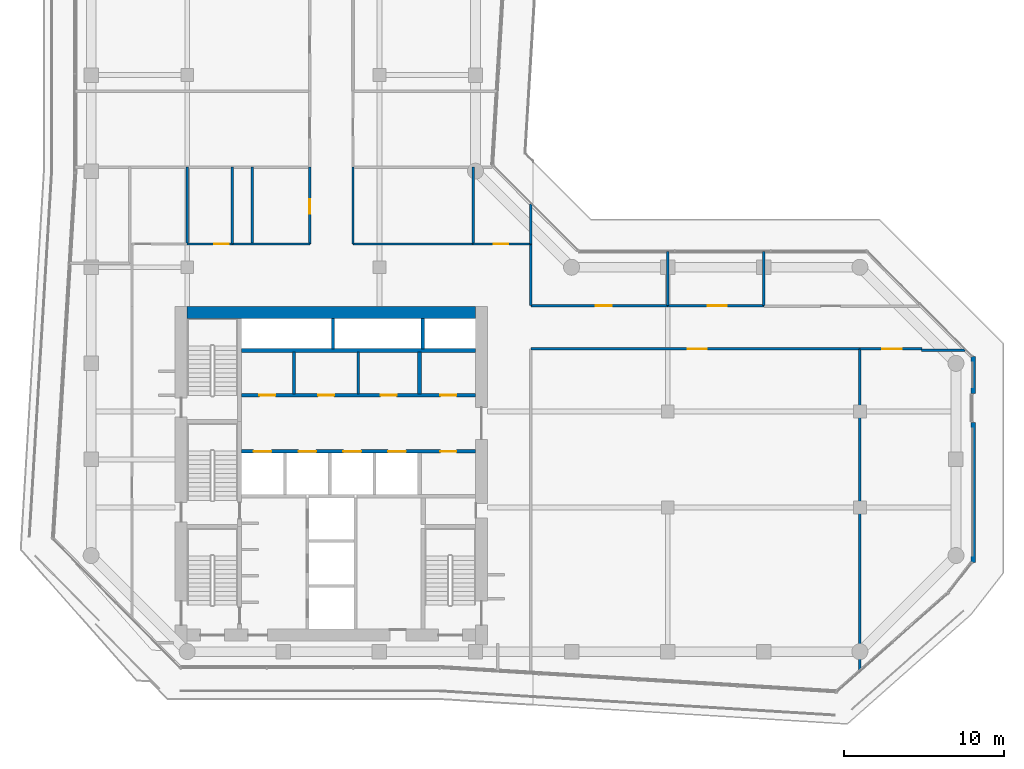
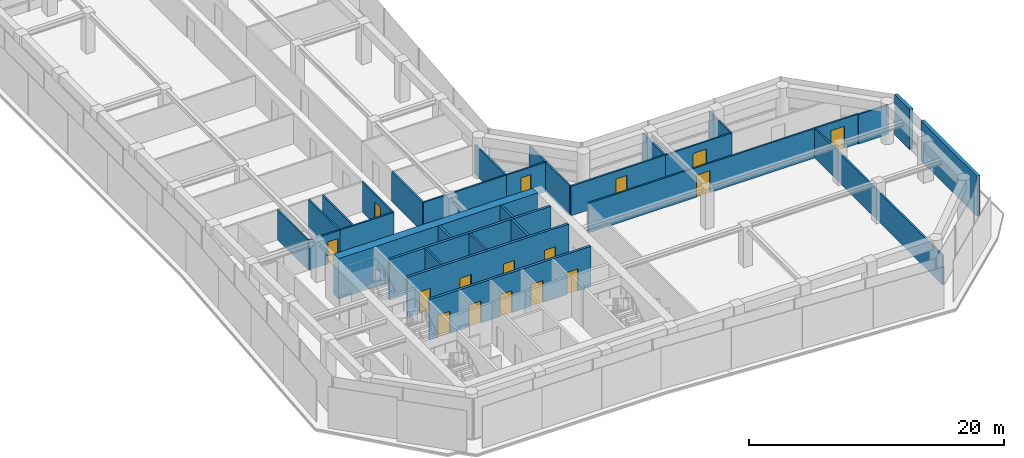
# One storey, part 21 of 24: 31 walls, 16 doors, 16 openings.
"""IFC4 building model written with IfcOpenShell, lengths in metres."""

from ifc_helpers import new_model, si_unit, direction, frame, frame_2d, origin, place, context, subcontext, project, spatial, rectangle, extrude, material, layer, layer_set, type_object, element, fill, save


model = new_model("IFC4")

# Units and contexts
model_context = context("Model", 3, precision=1e-05, world=origin(), true_north=direction((0.0, 1.0)))
body_context = subcontext(model_context, "Body", "Model", "MODEL_VIEW")
ifc_project = project(units=[si_unit("LENGTHUNIT", "METRE"), si_unit("AREAUNIT", "SQUARE_METRE"), si_unit("VOLUMEUNIT", "CUBIC_METRE"), si_unit("PLANEANGLEUNIT", "RADIAN"), si_unit("MASSUNIT", "GRAM", prefix="KILO")], contexts=[model_context])

# Site, building, storey
site_placement = place(None, origin())
site = spatial("IfcSite", under=ifc_project, at=site_placement, CompositionType="ELEMENT")
building_placement = place(site_placement, origin())
building = spatial("IfcBuilding", under=site, at=building_placement, Name="Welwitschia Terrace Campus", CompositionType="ELEMENT")
storey_placement = place(building_placement, frame((0.0, 0.0, 125.60009765625)))
storey = spatial("IfcBuildingStorey", under=building, at=storey_placement, Name="L28", CompositionType="ELEMENT", Elevation=125.60009765625)

# Walls
ifc_material_1 = material(Name="Concrete C32/40", Category="concrete")
ifc_layer_1 = layer(ifc_material_1, 0.175048828125)
ifc_layer_set_1 = layer_set([ifc_layer_1], Name="Concrete C32/40")
wall_type_1 = type_object("IfcWallType", Name="Core partition 175 Concrete C32/40", PredefinedType="PARTITIONING", material=ifc_layer_set_1)
for number, where, z_axis, x_axis, name in (
    (1, (12.675048828125, 20.10009765625, 0.0), (0.0, 0.0, 1.0), (0.0, 1.0, 0.0), "Core partition"),
    (2, (16.675048828125, 20.10009765625, 0.0), (0.0, 0.0, 1.0), (0.0, 1.0, 0.0), "Core partition"),
):
    element("IfcWall", number, at=place(storey_placement, frame(where, z_axis=z_axis, x_axis=x_axis)), inside=storey, type_object=wall_type_1, Name=name, PredefinedType="PARTITIONING", context=body_context, shape_type="SweptSolid", body=[
        extrude(rectangle(XDim=2.599853515625, YDim=0.175048828125, at=frame_2d((1.2998046875, 0.0))), origin(), (0.0, 0.0, 1.0), 3.849853515625),
    ])

# Wall, openings, doors
ifc_material_2 = material(Name="Concrete C32/40", Category="concrete")
ifc_layer_2 = layer(ifc_material_2, 0.22509765625)
ifc_layer_set_2 = layer_set([ifc_layer_2], Name="Concrete C32/40")
wall_type_2 = type_object("IfcWallType", Name="Core partition 225 Concrete C32/40", PredefinedType="PARTITIONING", material=ifc_layer_set_2)
wall_1_placement = place(storey_placement, frame((9.39990234375, 16.5, 0.0), z_axis=(0.0, 0.0, 1.0), x_axis=(1.0, 0.0, 0.0)))
wall_1 = element("IfcWall", 3, at=wall_1_placement, inside=storey, type_object=wall_type_2, Name="Shaft wall", PredefinedType="PARTITIONING", context=body_context, shape_type="SweptSolid", body=[
    extrude(rectangle(XDim=14.60009765625, YDim=0.22509765625, at=frame_2d((7.300048828125, 0.0))), origin(), (0.0, 0.0, 1.0), 3.849853515625),
])
opening_1_placement = place(wall_1_placement, frame((0.75, 0.0, 0.0)))
opening_1 = element("IfcOpeningElement", 4, at=opening_1_placement, cuts=wall_1, Name="Opening LD", PredefinedType="OPENING", context=body_context, shape_type="SweptSolid", body=[
    extrude(rectangle(XDim=1.10009765625, YDim=2.10009765625, at=frame_2d((0.550048828125, 1.050048828125))), frame((0.0, 0.12255859375, 0.0), z_axis=(0.0, -1.0, 0.0), x_axis=(1.0, 0.0, 0.0)), (0.0, 0.0, 1.0), 0.2451171875),
])
opening_2_placement = place(wall_1_placement, frame((3.550048828125, 0.0, 0.0)))
opening_2 = element("IfcOpeningElement", 5, at=opening_2_placement, cuts=wall_1, Name="Opening LD", PredefinedType="OPENING", context=body_context, shape_type="SweptSolid", body=[
    extrude(rectangle(XDim=1.10009765625, YDim=2.10009765625, at=frame_2d((0.550048828125, 1.050048828125))), frame((0.0, 0.12255859375, 0.0), z_axis=(0.0, -1.0, 0.0), x_axis=(1.0, 0.0, 0.0)), (0.0, 0.0, 1.0), 0.2451171875),
])
opening_3_placement = place(wall_1_placement, frame((6.35009765625, 0.0, 0.0)))
opening_3 = element("IfcOpeningElement", 6, at=opening_3_placement, cuts=wall_1, Name="Opening LD", PredefinedType="OPENING", context=body_context, shape_type="SweptSolid", body=[
    extrude(rectangle(XDim=1.10009765625, YDim=2.10009765625, at=frame_2d((0.550048828125, 1.050048828125))), frame((0.0, 0.12255859375, 0.0), z_axis=(0.0, -1.0, 0.0), x_axis=(1.0, 0.0, 0.0)), (0.0, 0.0, 1.0), 0.2451171875),
])
opening_4_placement = place(wall_1_placement, frame((9.14990234375, 0.0, 0.0)))
opening_4 = element("IfcOpeningElement", 7, at=opening_4_placement, cuts=wall_1, Name="Opening LD", PredefinedType="OPENING", context=body_context, shape_type="SweptSolid", body=[
    extrude(rectangle(XDim=1.10009765625, YDim=2.10009765625, at=frame_2d((0.550048828125, 1.050048828125))), frame((0.0, 0.12255859375, 0.0), z_axis=(0.0, -1.0, 0.0), x_axis=(1.0, 0.0, 0.0)), (0.0, 0.0, 1.0), 0.2451171875),
])
opening_5_placement = place(wall_1_placement, frame((12.39990234375, 0.0, 0.0)))
opening_5 = element("IfcOpeningElement", 8, at=opening_5_placement, cuts=wall_1, Name="Opening DR10", PredefinedType="OPENING", context=body_context, shape_type="SweptSolid", body=[
    extrude(rectangle(XDim=1.0, YDim=2.10009765625, at=frame_2d((0.5, 1.050048828125))), frame((0.0, 0.12255859375, 0.0), z_axis=(0.0, -1.0, 0.0), x_axis=(1.0, 0.0, 0.0)), (0.0, 0.0, 1.0), 0.2451171875),
])
ifc_material_3 = material(Name="Steel S275", Category="steel")
door_type_1 = type_object("IfcDoorType", Name="Core door DR10", OperationType="SINGLE_SWING_LEFT", PredefinedType="DOOR", material=ifc_material_3)
door_1_placement = place(opening_5_placement, origin())
door_1 = element("IfcDoor", 9, at=door_1_placement, inside=storey, type_object=door_type_1, Name="Door EL-D", OperationType="SINGLE_SWING_RIGHT", OverallHeight=2.10009765625, OverallWidth=1.0, PredefinedType="DOOR", context=body_context, shape_type="SweptSolid", body=[
    extrude(rectangle(XDim=1.0, YDim=2.10009765625, at=frame_2d((0.5, 1.050048828125))), frame((0.0, 0.02490234375, 0.0), z_axis=(0.0, -1.0, 0.0), x_axis=(1.0, 0.0, 0.0)), (0.0, 0.0, 1.0), 0.050048828125),
])
fill(opening_5, door_1)
ifc_material_4 = material(Name="Stainless steel 304", Category="steel")
door_type_2 = type_object("IfcDoorType", Name="Lift landing door", OperationType="DOUBLE_DOOR_SLIDING", PredefinedType="DOOR", material=ifc_material_4)
door_2_placement = place(opening_1_placement, origin())
door_2 = element("IfcDoor", 10, at=door_2_placement, inside=storey, type_object=door_type_2, Name="Landing door LR1", OperationType="DOUBLE_DOOR_SLIDING", OverallHeight=2.10009765625, OverallWidth=1.10009765625, PredefinedType="DOOR", context=body_context, shape_type="SweptSolid", body=[
    extrude(rectangle(XDim=1.10009765625, YDim=2.10009765625, at=frame_2d((0.550048828125, 1.050048828125))), frame((0.0, 0.02490234375, 0.0), z_axis=(0.0, -1.0, 0.0), x_axis=(1.0, 0.0, 0.0)), (0.0, 0.0, 1.0), 0.050048828125),
])
fill(opening_1, door_2)
door_3_placement = place(opening_2_placement, origin())
door_3 = element("IfcDoor", 11, at=door_3_placement, inside=storey, type_object=door_type_2, Name="Landing door LR2", OperationType="DOUBLE_DOOR_SLIDING", OverallHeight=2.10009765625, OverallWidth=1.10009765625, PredefinedType="DOOR", context=body_context, shape_type="SweptSolid", body=[
    extrude(rectangle(XDim=1.10009765625, YDim=2.10009765625, at=frame_2d((0.550048828125, 1.050048828125))), frame((0.0, 0.02490234375, 0.0), z_axis=(0.0, -1.0, 0.0), x_axis=(1.0, 0.0, 0.0)), (0.0, 0.0, 1.0), 0.050048828125),
])
fill(opening_2, door_3)
door_4_placement = place(opening_3_placement, origin())
door_4 = element("IfcDoor", 12, at=door_4_placement, inside=storey, type_object=door_type_2, Name="Landing door LR3", OperationType="DOUBLE_DOOR_SLIDING", OverallHeight=2.10009765625, OverallWidth=1.10009765625, PredefinedType="DOOR", context=body_context, shape_type="SweptSolid", body=[
    extrude(rectangle(XDim=1.10009765625, YDim=2.10009765625, at=frame_2d((0.550048828125, 1.050048828125))), frame((0.0, 0.02490234375, 0.0), z_axis=(0.0, -1.0, 0.0), x_axis=(1.0, 0.0, 0.0)), (0.0, 0.0, 1.0), 0.050048828125),
])
fill(opening_3, door_4)
door_5_placement = place(opening_4_placement, origin())
door_5 = element("IfcDoor", 13, at=door_5_placement, inside=storey, type_object=door_type_2, Name="Landing door LR4", OperationType="DOUBLE_DOOR_SLIDING", OverallHeight=2.10009765625, OverallWidth=1.10009765625, PredefinedType="DOOR", context=body_context, shape_type="SweptSolid", body=[
    extrude(rectangle(XDim=1.10009765625, YDim=2.10009765625, at=frame_2d((0.550048828125, 1.050048828125))), frame((0.0, 0.02490234375, 0.0), z_axis=(0.0, -1.0, 0.0), x_axis=(1.0, 0.0, 0.0)), (0.0, 0.0, 1.0), 0.050048828125),
])
fill(opening_4, door_5)

wall_2_placement = place(storey_placement, frame((24.0, 20.0, 0.0), z_axis=(0.0, 0.0, 1.0), x_axis=(-1.0, 0.0, 0.0)))
wall_2 = element("IfcWall", 14, at=wall_2_placement, inside=storey, type_object=wall_type_2, Name="Core partition", PredefinedType="PARTITIONING", context=body_context, shape_type="SweptSolid", body=[
    extrude(rectangle(XDim=14.60009765625, YDim=0.22509765625, at=frame_2d((7.300048828125, 0.0))), origin(), (0.0, 0.0, 1.0), 3.849853515625),
])
opening_6_placement = place(wall_2_placement, frame((12.5, 0.0, 0.0)))
opening_6 = element("IfcOpeningElement", 15, at=opening_6_placement, cuts=wall_2, Name="Opening DR10", PredefinedType="OPENING", context=body_context, shape_type="SweptSolid", body=[
    extrude(rectangle(XDim=1.0, YDim=2.10009765625, at=frame_2d((0.5, 1.050048828125))), frame((0.0, 0.12255859375, 0.0), z_axis=(0.0, -1.0, 0.0), x_axis=(1.0, 0.0, 0.0)), (0.0, 0.0, 1.0), 0.2451171875),
])
opening_7_placement = place(wall_2_placement, frame((8.824951171875, 0.0, 0.0)))
opening_7 = element("IfcOpeningElement", 16, at=opening_7_placement, cuts=wall_2, Name="Opening DR10", PredefinedType="OPENING", context=body_context, shape_type="SweptSolid", body=[
    extrude(rectangle(XDim=1.0, YDim=2.10009765625, at=frame_2d((0.5, 1.050048828125))), frame((0.0, 0.12255859375, 0.0), z_axis=(0.0, -1.0, 0.0), x_axis=(1.0, 0.0, 0.0)), (0.0, 0.0, 1.0), 0.2451171875),
])
opening_8_placement = place(wall_2_placement, frame((4.925048828125, 0.0, 0.0)))
opening_8 = element("IfcOpeningElement", 17, at=opening_8_placement, cuts=wall_2, Name="Opening DR10", PredefinedType="OPENING", context=body_context, shape_type="SweptSolid", body=[
    extrude(rectangle(XDim=1.0, YDim=2.10009765625, at=frame_2d((0.5, 1.050048828125))), frame((0.0, 0.12255859375, 0.0), z_axis=(0.0, -1.0, 0.0), x_axis=(1.0, 0.0, 0.0)), (0.0, 0.0, 1.0), 0.2451171875),
])
opening_9_placement = place(wall_2_placement, frame((1.199951171875, 0.0, 0.0)))
opening_9 = element("IfcOpeningElement", 18, at=opening_9_placement, cuts=wall_2, Name="Opening DR10", PredefinedType="OPENING", context=body_context, shape_type="SweptSolid", body=[
    extrude(rectangle(XDim=1.0, YDim=2.10009765625, at=frame_2d((0.5, 1.050048828125))), frame((0.0, 0.12255859375, 0.0), z_axis=(0.0, -1.0, 0.0), x_axis=(1.0, 0.0, 0.0)), (0.0, 0.0, 1.0), 0.2451171875),
])
door_6_placement = place(opening_6_placement, origin())
door_6 = element("IfcDoor", 19, at=door_6_placement, inside=storey, type_object=door_type_1, Name="Door BAYH1-D", OperationType="SINGLE_SWING_RIGHT", OverallHeight=2.10009765625, OverallWidth=1.0, PredefinedType="DOOR", context=body_context, shape_type="SweptSolid", body=[
    extrude(rectangle(XDim=1.0, YDim=2.10009765625, at=frame_2d((0.5, 1.050048828125))), frame((0.0, 0.02490234375, 0.0), z_axis=(0.0, -1.0, 0.0), x_axis=(1.0, 0.0, 0.0)), (0.0, 0.0, 1.0), 0.050048828125),
])
fill(opening_6, door_6)
door_7_placement = place(opening_7_placement, origin())
door_7 = element("IfcDoor", 20, at=door_7_placement, inside=storey, type_object=door_type_1, Name="Door BAYH2-D", OperationType="SINGLE_SWING_RIGHT", OverallHeight=2.10009765625, OverallWidth=1.0, PredefinedType="DOOR", context=body_context, shape_type="SweptSolid", body=[
    extrude(rectangle(XDim=1.0, YDim=2.10009765625, at=frame_2d((0.5, 1.050048828125))), frame((0.0, 0.02490234375, 0.0), z_axis=(0.0, -1.0, 0.0), x_axis=(1.0, 0.0, 0.0)), (0.0, 0.0, 1.0), 0.050048828125),
])
fill(opening_7, door_7)
door_8_placement = place(opening_8_placement, origin())
door_8 = element("IfcDoor", 21, at=door_8_placement, inside=storey, type_object=door_type_1, Name="Door BAYH3-D", OperationType="SINGLE_SWING_LEFT", OverallHeight=2.10009765625, OverallWidth=1.0, PredefinedType="DOOR", context=body_context, shape_type="SweptSolid", body=[
    extrude(rectangle(XDim=1.0, YDim=2.10009765625, at=frame_2d((0.5, 1.050048828125))), frame((0.0, 0.02490234375, 0.0), z_axis=(0.0, -1.0, 0.0), x_axis=(1.0, 0.0, 0.0)), (0.0, 0.0, 1.0), 0.050048828125),
])
fill(opening_8, door_8)
door_9_placement = place(opening_9_placement, origin())
door_9 = element("IfcDoor", 22, at=door_9_placement, inside=storey, type_object=door_type_1, Name="Door EH-D", OperationType="SINGLE_SWING_LEFT", OverallHeight=2.10009765625, OverallWidth=1.0, PredefinedType="DOOR", context=body_context, shape_type="SweptSolid", body=[
    extrude(rectangle(XDim=1.0, YDim=2.10009765625, at=frame_2d((0.5, 1.050048828125))), frame((0.0, 0.02490234375, 0.0), z_axis=(0.0, -1.0, 0.0), x_axis=(1.0, 0.0, 0.0)), (0.0, 0.0, 1.0), 0.050048828125),
])
fill(opening_9, door_9)

# Walls
wall_3_placement = place(storey_placement, frame((9.39990234375, 22.800048828125, 0.0), z_axis=(0.0, 0.0, 1.0), x_axis=(1.0, 0.0, 0.0)))
element("IfcWall", 23, at=wall_3_placement, inside=storey, type_object=wall_type_2, Name="Shaft wall", PredefinedType="PARTITIONING", context=body_context, shape_type="SweptSolid", body=[
    extrude(rectangle(XDim=14.60009765625, YDim=0.22509765625, at=frame_2d((7.300048828125, 0.0))), origin(), (0.0, 0.0, 1.0), 3.849853515625),
])
wall_4_placement = place(storey_placement, frame((20.5, 20.10009765625, 0.0), z_axis=(0.0, 0.0, 1.0), x_axis=(0.0, 1.0, 0.0)))
element("IfcWall", 24, at=wall_4_placement, inside=storey, type_object=wall_type_2, Name="Core partition", PredefinedType="PARTITIONING", context=body_context, shape_type="SweptSolid", body=[
    extrude(rectangle(XDim=2.599853515625, YDim=0.22509765625, at=frame_2d((1.2998046875, 0.0))), origin(), (0.0, 0.0, 1.0), 3.849853515625),
])
ifc_material_5 = material(Name="Concrete C50/60", Category="concrete")
ifc_layer_3 = layer(ifc_material_5, 0.199951171875)
ifc_layer_set_3 = layer_set([ifc_layer_3], Name="Concrete C50/60")
wall_type_3 = type_object("IfcWallType", Name="Core wall 200 Concrete C50/60", PredefinedType="SHEAR", material=ifc_layer_set_3)
for number, where, z_axis, x_axis, name in (
    (25, (15.10009765625, 22.89990234375, 0.0), (0.0, 0.0, 1.0), (0.0, 1.0, 0.0), "Core wall"),
    (26, (20.699951171875, 22.89990234375, 0.0), (0.0, 0.0, 1.0), (0.0, 1.0, 0.0), "Core wall"),
):
    element("IfcWall", number, at=place(storey_placement, frame(where, z_axis=z_axis, x_axis=x_axis)), inside=storey, type_object=wall_type_3, Name=name, PredefinedType="SHEAR", context=body_context, shape_type="SweptSolid", body=[
        extrude(rectangle(XDim=1.900146484375, YDim=0.199951171875, at=frame_2d((0.9501953125, 0.0))), origin(), (0.0, 0.0, 1.0), 3.849853515625),
    ])
ifc_material_6 = material(Name="Concrete C70/85", Category="concrete")
ifc_layer_4 = layer(ifc_material_6, 0.75)
ifc_layer_set_4 = layer_set([ifc_layer_4], Name="Concrete C70/85")
wall_type_4 = type_object("IfcWallType", Name="Core wall 750 Concrete C70/85", PredefinedType="SHEAR", material=ifc_layer_set_4)
wall_5_placement = place(storey_placement, frame((6.0, 25.175048828125, 0.0), z_axis=(0.0, 0.0, 1.0), x_axis=(1.0, 0.0, 0.0)))
element("IfcWall", 27, at=wall_5_placement, inside=storey, type_object=wall_type_4, Name="Core outer wall", PredefinedType="SHEAR", context=body_context, shape_type="SweptSolid", body=[
    extrude(rectangle(XDim=18.0, YDim=0.75, at=frame_2d((9.0, 0.0))), origin(), (0.0, 0.0, 1.0), 3.849853515625),
])
ifc_material_7 = material(Name="Gypsum board on steel studs", Category="steel")
ifc_layer_5 = layer(ifc_material_7, 0.14990234375)
ifc_layer_set_5 = layer_set([ifc_layer_5], Name="Gypsum board on steel studs")
wall_type_5 = type_object("IfcWallType", Name="Corridor partition 150 EI 30", PredefinedType="PARTITIONING", material=ifc_layer_set_5)
wall_6_placement = place(storey_placement, frame((6.0, 29.449951171875, 0.0), z_axis=(0.0, 0.0, 1.0), x_axis=(0.0, 1.0, 0.0)))
element("IfcWall", 28, at=wall_6_placement, inside=storey, type_object=wall_type_5, Name="Partition", PredefinedType="PARTITIONING", context=body_context, shape_type="SweptSolid", body=[
    extrude(rectangle(XDim=4.800048828125, YDim=0.14990234375, at=frame_2d((2.39990234375, 0.0))), origin(), (0.0, 0.0, 1.0), 2.829833984375),
])

# Wall, opening, door
wall_7_placement = place(storey_placement, frame((6.0, 29.449951171875, 0.0), z_axis=(0.0, 0.0, 1.0), x_axis=(1.0, 0.0, 0.0)))
wall_7 = element("IfcWall", 29, at=wall_7_placement, inside=storey, type_object=wall_type_5, Name="Partition", PredefinedType="PARTITIONING", context=body_context, shape_type="SweptSolid", body=[
    extrude(rectangle(XDim=2.800048828125, YDim=0.14990234375, at=frame_2d((1.39990234375, 0.0))), origin(), (0.0, 0.0, 1.0), 2.829833984375),
])
opening_10_placement = place(wall_7_placement, frame((1.699951171875, 0.0, 0.0)))
opening_10 = element("IfcOpeningElement", 30, at=opening_10_placement, cuts=wall_7, Name="Opening DI09", PredefinedType="OPENING", context=body_context, shape_type="SweptSolid", body=[
    extrude(rectangle(XDim=0.89990234375, YDim=2.10009765625, at=frame_2d((0.449951171875, 1.050048828125))), frame((0.0, 0.0849609375, 0.0), z_axis=(0.0, -1.0, 0.0), x_axis=(1.0, 0.0, 0.0)), (0.0, 0.0, 1.0), 0.169921875),
])
ifc_material_8 = material(Name="Timber veneered door", Category="wood")
door_type_3 = type_object("IfcDoorType", Name="Interior door DI09", OperationType="NOTDEFINED", PredefinedType="DOOR", material=ifc_material_8)
door_10_placement = place(opening_10_placement, origin())
door_10 = element("IfcDoor", 31, at=door_10_placement, inside=storey, type_object=door_type_3, Name="Door L28 602", OperationType="SINGLE_SWING_LEFT", OverallHeight=2.10009765625, OverallWidth=0.89990234375, PredefinedType="DOOR", context=body_context, shape_type="SweptSolid", body=[
    extrude(rectangle(XDim=0.89990234375, YDim=2.10009765625, at=frame_2d((0.449951171875, 1.050048828125))), frame((0.0, 0.02490234375, 0.0), z_axis=(0.0, -1.0, 0.0), x_axis=(1.0, 0.0, 0.0)), (0.0, 0.0, 1.0), 0.050048828125),
])
fill(opening_10, door_10)

# Walls
wall_8_placement = place(storey_placement, frame((8.800048828125, 29.449951171875, 0.0), z_axis=(0.0, 0.0, 1.0), x_axis=(0.0, 1.0, 0.0)))
element("IfcWall", 32, at=wall_8_placement, inside=storey, type_object=wall_type_5, Name="Partition", PredefinedType="PARTITIONING", context=body_context, shape_type="SweptSolid", body=[
    extrude(rectangle(XDim=4.800048828125, YDim=0.14990234375, at=frame_2d((2.39990234375, 0.0))), origin(), (0.0, 0.0, 1.0), 2.829833984375),
])
wall_9_placement = place(storey_placement, frame((8.800048828125, 29.449951171875, 0.0), z_axis=(0.0, 0.0, 1.0), x_axis=(1.0, 0.0, 0.0)))
element("IfcWall", 33, at=wall_9_placement, inside=storey, type_object=wall_type_5, Name="Partition", PredefinedType="PARTITIONING", context=body_context, shape_type="SweptSolid", body=[
    extrude(rectangle(XDim=4.849853515625, YDim=0.14990234375, at=frame_2d((2.4248046875, 0.0))), origin(), (0.0, 0.0, 1.0), 2.829833984375),
])
wall_10_placement = place(storey_placement, frame((10.050048828125, 29.449951171875, 0.0), z_axis=(0.0, 0.0, 1.0), x_axis=(0.0, 1.0, 0.0)))
element("IfcWall", 34, at=wall_10_placement, inside=storey, type_object=wall_type_5, Name="Partition", PredefinedType="PARTITIONING", context=body_context, shape_type="SweptSolid", body=[
    extrude(rectangle(XDim=4.800048828125, YDim=0.14990234375, at=frame_2d((2.39990234375, 0.0))), origin(), (0.0, 0.0, 1.0), 2.829833984375),
])

# Wall, opening, door
wall_11_placement = place(storey_placement, frame((13.64990234375, 29.449951171875, 0.0), z_axis=(0.0, 0.0, 1.0), x_axis=(0.0, 1.0, 0.0)))
wall_11 = element("IfcWall", 35, at=wall_11_placement, inside=storey, type_object=wall_type_5, Name="Partition", PredefinedType="PARTITIONING", context=body_context, shape_type="SweptSolid", body=[
    extrude(rectangle(XDim=4.800048828125, YDim=0.14990234375, at=frame_2d((2.39990234375, 0.0))), origin(), (0.0, 0.0, 1.0), 2.829833984375),
])
opening_11_placement = place(wall_11_placement, frame((1.89990234375, 0.0, 0.0)))
opening_11 = element("IfcOpeningElement", 36, at=opening_11_placement, cuts=wall_11, Name="Opening DI09", PredefinedType="OPENING", context=body_context, shape_type="SweptSolid", body=[
    extrude(rectangle(XDim=0.89990234375, YDim=2.10009765625, at=frame_2d((0.449951171875, 1.050048828125))), frame((0.0, 0.0849609375, 0.0), z_axis=(0.0, -1.0, 0.0), x_axis=(1.0, 0.0, 0.0)), (0.0, 0.0, 1.0), 0.169921875),
])
door_11_placement = place(opening_11_placement, origin())
door_11 = element("IfcDoor", 37, at=door_11_placement, inside=storey, type_object=door_type_3, Name="Door L28 603", OperationType="SINGLE_SWING_RIGHT", OverallHeight=2.10009765625, OverallWidth=0.89990234375, PredefinedType="DOOR", context=body_context, shape_type="SweptSolid", body=[
    extrude(rectangle(XDim=0.89990234375, YDim=2.10009765625, at=frame_2d((0.449951171875, 1.050048828125))), frame((0.0, 0.02490234375, 0.0), z_axis=(0.0, -1.0, 0.0), x_axis=(1.0, 0.0, 0.0)), (0.0, 0.0, 1.0), 0.050048828125),
])
fill(opening_11, door_11)

# Walls
wall_12_placement = place(storey_placement, frame((16.35009765625, 29.449951171875, 0.0), z_axis=(0.0, 0.0, 1.0), x_axis=(0.0, 1.0, 0.0)))
element("IfcWall", 38, at=wall_12_placement, inside=storey, type_object=wall_type_5, Name="Partition", PredefinedType="PARTITIONING", context=body_context, shape_type="SweptSolid", body=[
    extrude(rectangle(XDim=4.800048828125, YDim=0.14990234375, at=frame_2d((2.39990234375, 0.0))), origin(), (0.0, 0.0, 1.0), 2.829833984375),
])
wall_13_placement = place(storey_placement, frame((16.35009765625, 29.449951171875, 0.0), z_axis=(0.0, 0.0, 1.0), x_axis=(1.0, 0.0, 0.0)))
element("IfcWall", 39, at=wall_13_placement, inside=storey, type_object=wall_type_5, Name="Partition", PredefinedType="PARTITIONING", context=body_context, shape_type="SweptSolid", body=[
    extrude(rectangle(XDim=7.5, YDim=0.14990234375, at=frame_2d((3.75, 0.0))), origin(), (0.0, 0.0, 1.0), 2.829833984375),
])
wall_14_placement = place(storey_placement, frame((23.85009765625, 29.449951171875, 0.0), z_axis=(0.0, 0.0, 1.0), x_axis=(0.0, 1.0, 0.0)))
element("IfcWall", 40, at=wall_14_placement, inside=storey, type_object=wall_type_5, Name="Partition", PredefinedType="PARTITIONING", context=body_context, shape_type="SweptSolid", body=[
    extrude(rectangle(XDim=4.800048828125, YDim=0.14990234375, at=frame_2d((2.39990234375, 0.0))), origin(), (0.0, 0.0, 1.0), 2.829833984375),
])

# Wall, opening, door
wall_15_placement = place(storey_placement, frame((23.85009765625, 29.449951171875, 0.0), z_axis=(0.0, 0.0, 1.0), x_axis=(1.0, 0.0, 0.0)))
wall_15 = element("IfcWall", 41, at=wall_15_placement, inside=storey, type_object=wall_type_5, Name="Partition", PredefinedType="PARTITIONING", context=body_context, shape_type="SweptSolid", body=[
    extrude(rectangle(XDim=3.599853515625, YDim=0.14990234375, at=frame_2d((1.7998046875, 0.0))), origin(), (0.0, 0.0, 1.0), 2.829833984375),
])
opening_12_placement = place(wall_15_placement, frame((1.300048828125, 0.0, 0.0)))
opening_12 = element("IfcOpeningElement", 42, at=opening_12_placement, cuts=wall_15, Name="Opening DI09", PredefinedType="OPENING", context=body_context, shape_type="SweptSolid", body=[
    extrude(rectangle(XDim=0.89990234375, YDim=2.10009765625, at=frame_2d((0.449951171875, 1.050048828125))), frame((0.0, 0.0849609375, 0.0), z_axis=(0.0, -1.0, 0.0), x_axis=(1.0, 0.0, 0.0)), (0.0, 0.0, 1.0), 0.169921875),
])
door_12_placement = place(opening_12_placement, origin())
door_12 = element("IfcDoor", 43, at=door_12_placement, inside=storey, type_object=door_type_3, Name="Door L28 611", OperationType="SINGLE_SWING_RIGHT", OverallHeight=2.10009765625, OverallWidth=0.89990234375, PredefinedType="DOOR", context=body_context, shape_type="SweptSolid", body=[
    extrude(rectangle(XDim=0.89990234375, YDim=2.10009765625, at=frame_2d((0.449951171875, 1.050048828125))), frame((0.0, 0.02490234375, 0.0), z_axis=(0.0, -1.0, 0.0), x_axis=(1.0, 0.0, 0.0)), (0.0, 0.0, 1.0), 0.050048828125),
])
fill(opening_12, door_12)

# Wall
wall_16_placement = place(storey_placement, frame((27.449951171875, 25.60009765625, 0.0), z_axis=(0.0, 0.0, 1.0), x_axis=(0.0, 1.0, 0.0)))
element("IfcWall", 44, at=wall_16_placement, inside=storey, type_object=wall_type_5, Name="Partition", PredefinedType="PARTITIONING", context=body_context, shape_type="SweptSolid", body=[
    extrude(rectangle(XDim=3.849853515625, YDim=0.14990234375, at=frame_2d((1.9248046875, 0.0))), origin(), (0.0, 0.0, 1.0), 2.829833984375),
])

# Wall, opening, door
wall_17_placement = place(storey_placement, frame((27.449951171875, 25.60009765625, 0.0), z_axis=(0.0, 0.0, 1.0), x_axis=(1.0, 0.0, 0.0)))
wall_17 = element("IfcWall", 45, at=wall_17_placement, inside=storey, type_object=wall_type_5, Name="Partition", PredefinedType="PARTITIONING", context=body_context, shape_type="SweptSolid", body=[
    extrude(rectangle(XDim=8.550048828125, YDim=0.14990234375, at=frame_2d((4.27490234375, 0.0))), origin(), (0.0, 0.0, 1.0), 2.829833984375),
])
opening_13_placement = place(wall_17_placement, frame((4.050048828125, 0.0, 0.0)))
opening_13 = element("IfcOpeningElement", 46, at=opening_13_placement, cuts=wall_17, Name="Opening DI10", PredefinedType="OPENING", context=body_context, shape_type="SweptSolid", body=[
    extrude(rectangle(XDim=1.0, YDim=2.10009765625, at=frame_2d((0.5, 1.050048828125))), frame((0.0, 0.0849609375, 0.0), z_axis=(0.0, -1.0, 0.0), x_axis=(1.0, 0.0, 0.0)), (0.0, 0.0, 1.0), 0.169921875),
])
ifc_material_9 = material(Name="Timber veneered door", Category="wood")
door_type_4 = type_object("IfcDoorType", Name="Interior door DI10", OperationType="NOTDEFINED", PredefinedType="DOOR", material=ifc_material_9)
door_13_placement = place(opening_13_placement, origin())
door_13 = element("IfcDoor", 47, at=door_13_placement, inside=storey, type_object=door_type_4, Name="Door L28 612", OperationType="SINGLE_SWING_LEFT", OverallHeight=2.10009765625, OverallWidth=1.0, PredefinedType="DOOR", context=body_context, shape_type="SweptSolid", body=[
    extrude(rectangle(XDim=1.0, YDim=2.10009765625, at=frame_2d((0.5, 1.050048828125))), frame((0.0, 0.02490234375, 0.0), z_axis=(0.0, -1.0, 0.0), x_axis=(1.0, 0.0, 0.0)), (0.0, 0.0, 1.0), 0.050048828125),
])
fill(opening_13, door_13)

# Walls
wall_18_placement = place(storey_placement, frame((27.449951171875, 29.449951171875, 0.0), z_axis=(0.0, 0.0, 1.0), x_axis=(0.0, 1.0, 0.0)))
element("IfcWall", 48, at=wall_18_placement, inside=storey, type_object=wall_type_5, Name="Partition", PredefinedType="PARTITIONING", context=body_context, shape_type="SweptSolid", body=[
    extrude(rectangle(XDim=2.489990234375, YDim=0.14990234375, at=frame_2d((1.2451171875, 0.0))), origin(), (0.0, 0.0, 1.0), 2.829833984375),
])
wall_19_placement = place(storey_placement, frame((36.0, 25.60009765625, 0.0), z_axis=(0.0, 0.0, 1.0), x_axis=(0.0, 1.0, 0.0)))
element("IfcWall", 49, at=wall_19_placement, inside=storey, type_object=wall_type_5, Name="Partition", PredefinedType="PARTITIONING", context=body_context, shape_type="SweptSolid", body=[
    extrude(rectangle(XDim=3.3798828125, YDim=0.14990234375, at=frame_2d((1.68994140625, 0.0))), origin(), (0.0, 0.0, 1.0), 2.829833984375),
])

# Wall, opening, door
wall_20_placement = place(storey_placement, frame((36.0, 25.60009765625, 0.0), z_axis=(0.0, 0.0, 1.0), x_axis=(1.0, 0.0, 0.0)))
wall_20 = element("IfcWall", 50, at=wall_20_placement, inside=storey, type_object=wall_type_5, Name="Partition", PredefinedType="PARTITIONING", context=body_context, shape_type="SweptSolid", body=[
    extrude(rectangle(XDim=6.0, YDim=0.14990234375, at=frame_2d((3.0, 0.0))), origin(), (0.0, 0.0, 1.0), 2.829833984375),
])
opening_14_placement = place(wall_20_placement, frame((2.5, 0.0, 0.0)))
opening_14 = element("IfcOpeningElement", 51, at=opening_14_placement, cuts=wall_20, Name="Opening DI12", PredefinedType="OPENING", context=body_context, shape_type="SweptSolid", body=[
    extrude(rectangle(XDim=1.199951171875, YDim=2.10009765625, at=frame_2d((0.60009765625, 1.050048828125))), frame((0.0, 0.0849609375, 0.0), z_axis=(0.0, -1.0, 0.0), x_axis=(1.0, 0.0, 0.0)), (0.0, 0.0, 1.0), 0.169921875),
])
ifc_material_10 = material(Name="Timber veneered door", Category="wood")
door_type_5 = type_object("IfcDoorType", Name="Interior door DI12", OperationType="NOTDEFINED", PredefinedType="DOOR", material=ifc_material_10)
door_14_placement = place(opening_14_placement, origin())
door_14 = element("IfcDoor", 52, at=door_14_placement, inside=storey, type_object=door_type_5, Name="Door L28 613", OperationType="SINGLE_SWING_RIGHT", OverallHeight=2.10009765625, OverallWidth=1.199951171875, PredefinedType="DOOR", context=body_context, shape_type="SweptSolid", body=[
    extrude(rectangle(XDim=1.199951171875, YDim=2.10009765625, at=frame_2d((0.60009765625, 1.050048828125))), frame((0.0, 0.02490234375, 0.0), z_axis=(0.0, -1.0, 0.0), x_axis=(1.0, 0.0, 0.0)), (0.0, 0.0, 1.0), 0.050048828125),
])
fill(opening_14, door_14)

# Walls
wall_21_placement = place(storey_placement, frame((42.0, 25.60009765625, 0.0), z_axis=(0.0, 0.0, 1.0), x_axis=(0.0, 1.0, 0.0)))
element("IfcWall", 53, at=wall_21_placement, inside=storey, type_object=wall_type_5, Name="Partition", PredefinedType="PARTITIONING", context=body_context, shape_type="SweptSolid", body=[
    extrude(rectangle(XDim=3.3798828125, YDim=0.14990234375, at=frame_2d((1.68994140625, 0.0))), origin(), (0.0, 0.0, 1.0), 2.829833984375),
])
wall_22_placement = place(storey_placement, frame((48.0, 2.820068359375, 0.0), z_axis=(0.0, 0.0, 1.0), x_axis=(0.0, 1.0, 0.0)))
element("IfcWall", 54, at=wall_22_placement, inside=storey, type_object=wall_type_5, Name="Partition", PredefinedType="PARTITIONING", context=body_context, shape_type="SweptSolid", body=[
    extrude(rectangle(XDim=20.079833984375, YDim=0.14990234375, at=frame_2d((10.0400390625, 0.0))), origin(), (0.0, 0.0, 1.0), 2.829833984375),
])

# Wall, opening, door
wall_23_placement = place(storey_placement, frame((48.0, 22.89990234375, 0.0), z_axis=(0.0, 0.0, 1.0), x_axis=(-1.0, 0.0, 0.0)))
wall_23 = element("IfcWall", 55, at=wall_23_placement, inside=storey, type_object=wall_type_5, Name="Partition", PredefinedType="PARTITIONING", context=body_context, shape_type="SweptSolid", body=[
    extrude(rectangle(XDim=20.550048828125, YDim=0.14990234375, at=frame_2d((10.27490234375, 0.0))), origin(), (0.0, 0.0, 1.0), 2.829833984375),
])
opening_15_placement = place(wall_23_placement, frame((9.550048828125, 0.0, 0.0)))
opening_15 = element("IfcOpeningElement", 56, at=opening_15_placement, cuts=wall_23, Name="Opening DI12", PredefinedType="OPENING", context=body_context, shape_type="SweptSolid", body=[
    extrude(rectangle(XDim=1.199951171875, YDim=2.10009765625, at=frame_2d((0.60009765625, 1.050048828125))), frame((0.0, 0.0849609375, 0.0), z_axis=(0.0, -1.0, 0.0), x_axis=(1.0, 0.0, 0.0)), (0.0, 0.0, 1.0), 0.169921875),
])
door_15_placement = place(opening_15_placement, origin())
door_15 = element("IfcDoor", 57, at=door_15_placement, inside=storey, type_object=door_type_5, Name="Door L28 615", OperationType="SINGLE_SWING_RIGHT", OverallHeight=2.10009765625, OverallWidth=1.199951171875, PredefinedType="DOOR", context=body_context, shape_type="SweptSolid", body=[
    extrude(rectangle(XDim=1.199951171875, YDim=2.10009765625, at=frame_2d((0.60009765625, 1.050048828125))), frame((0.0, 0.02490234375, 0.0), z_axis=(0.0, -1.0, 0.0), x_axis=(1.0, 0.0, 0.0)), (0.0, 0.0, 1.0), 0.050048828125),
])
fill(opening_15, door_15)

# Wall
wall_24_placement = place(storey_placement, frame((51.85009765625, 22.820068359375, 0.0), z_axis=(0.0, 0.0, 1.0), x_axis=(1.0, 0.0, 0.0)))
element("IfcWall", 58, at=wall_24_placement, inside=storey, type_object=wall_type_5, Name="Partition", PredefinedType="PARTITIONING", context=body_context, shape_type="SweptSolid", body=[
    extrude(rectangle(XDim=2.70166015625, YDim=0.14990234375, at=frame_2d((1.350830078125, 0.0))), origin(), (0.0, 0.0, 1.0), 2.829833984375),
])

# Wall, opening, door
wall_25_placement = place(storey_placement, frame((51.8798828125, 22.89990234375, 0.0), z_axis=(0.0, 0.0, 1.0), x_axis=(-1.0, 0.0, 0.0)))
wall_25 = element("IfcWall", 59, at=wall_25_placement, inside=storey, type_object=wall_type_5, Name="Partition", PredefinedType="PARTITIONING", context=body_context, shape_type="SweptSolid", body=[
    extrude(rectangle(XDim=3.8798828125, YDim=0.14990234375, at=frame_2d((1.93994140625, 0.0))), origin(), (0.0, 0.0, 1.0), 2.829833984375),
])
opening_16_placement = place(wall_25_placement, frame((1.280029296875, 0.0, 0.0)))
opening_16 = element("IfcOpeningElement", 60, at=opening_16_placement, cuts=wall_25, Name="Opening DI12", PredefinedType="OPENING", context=body_context, shape_type="SweptSolid", body=[
    extrude(rectangle(XDim=1.199951171875, YDim=2.10009765625, at=frame_2d((0.60009765625, 1.050048828125))), frame((0.0, 0.0849609375, 0.0), z_axis=(0.0, -1.0, 0.0), x_axis=(1.0, 0.0, 0.0)), (0.0, 0.0, 1.0), 0.169921875),
])
door_16_placement = place(opening_16_placement, origin())
door_16 = element("IfcDoor", 61, at=door_16_placement, inside=storey, type_object=door_type_5, Name="Door L28 616", OperationType="SINGLE_SWING_LEFT", OverallHeight=2.10009765625, OverallWidth=1.199951171875, PredefinedType="DOOR", context=body_context, shape_type="SweptSolid", body=[
    extrude(rectangle(XDim=1.199951171875, YDim=2.10009765625, at=frame_2d((0.60009765625, 1.050048828125))), frame((0.0, 0.02490234375, 0.0), z_axis=(0.0, -1.0, 0.0), x_axis=(1.0, 0.0, 0.0)), (0.0, 0.0, 1.0), 0.050048828125),
])
fill(opening_16, door_16)

# Walls
ifc_material_11 = material(Name="Concrete C40/50", Category="concrete")
ifc_layer_6 = layer(ifc_material_11, 0.300048828125)
ifc_layer_set_6 = layer_set([ifc_layer_6], Name="Concrete C40/50")
wall_type_6 = type_object("IfcWallType", Name="Mass wall 300", PredefinedType="SOLIDWALL", material=ifc_layer_set_6)
wall_26_placement = place(storey_placement, frame((55.079833984375, 9.575439453125, 0.0), z_axis=(0.0, 0.0, 1.0), x_axis=(0.0, 1.0, 0.0)))
element("IfcWall", 62, at=wall_26_placement, inside=storey, type_object=wall_type_6, Name="Mass wall L28.6.0", PredefinedType="SOLIDWALL", context=body_context, shape_type="SweptSolid", body=[
    extrude(rectangle(XDim=8.738525390625, YDim=0.300048828125, at=frame_2d((4.369140625, 0.0))), origin(), (0.0, 0.0, 1.0), 3.849853515625),
])
wall_27_placement = place(storey_placement, frame((55.07958984375, 20.114013671875, 0.0), z_axis=(0.0, 0.0, 1.0), x_axis=(0.0, 1.0, 0.0)))
element("IfcWall", 63, at=wall_27_placement, inside=storey, type_object=wall_type_6, Name="Mass wall L28.6.1", PredefinedType="SOLIDWALL", context=body_context, shape_type="SweptSolid", body=[
    extrude(rectangle(XDim=2.3125, YDim=0.300048828125, at=frame_2d((1.15625, 0.0))), origin(), (0.0, 0.0, 1.0), 3.849853515625),
])

save(model, "model.ifc")
